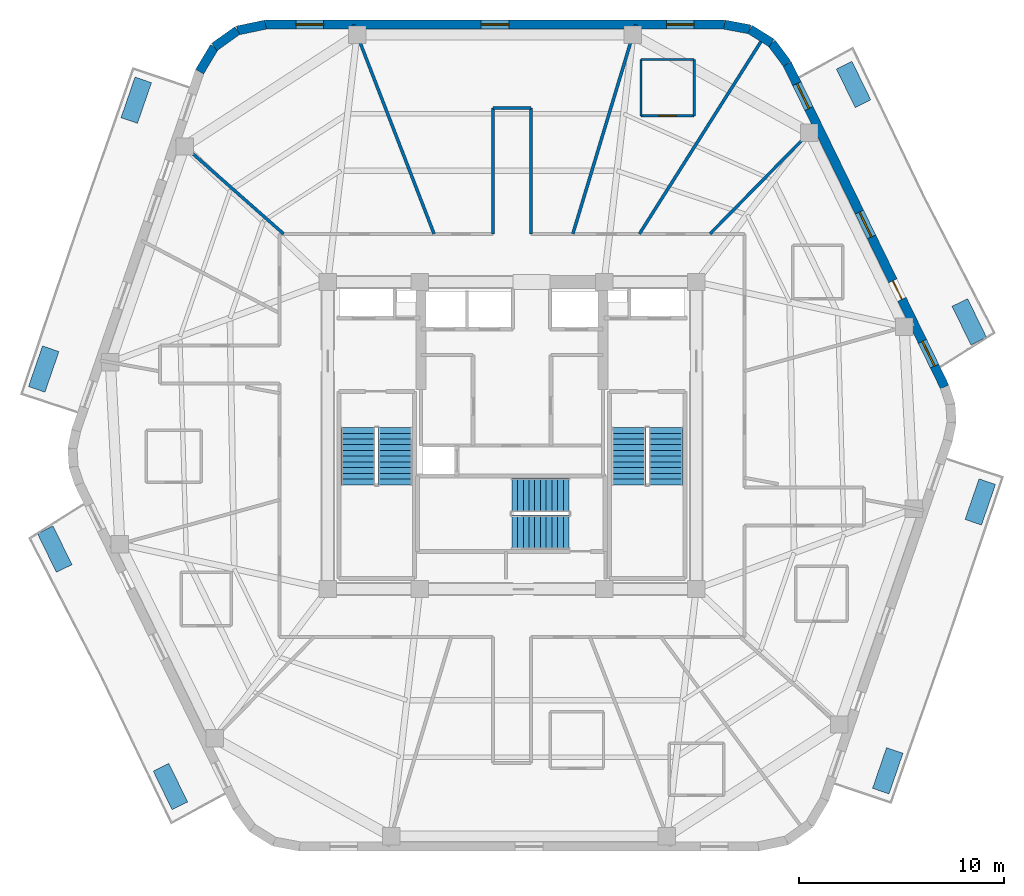
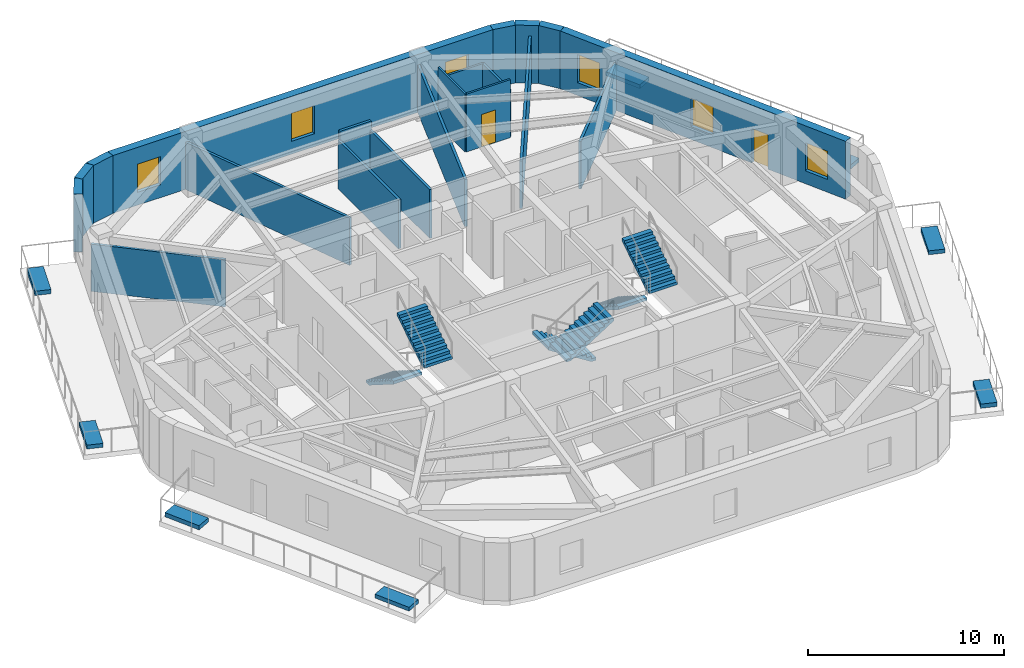
# One storey, part 6 of 9: 20 walls, 8 discrete accessories, 6 stair flights, 6 windows, 2 doors, 8 openings, 3 elements without a shape of their own.
"""IFC4 building model written with IfcOpenShell, lengths in metres."""

from ifc_helpers import new_model, si_unit, direction, frame, frame_2d, origin, origin_2d, place, context, subcontext, project, spatial, polyline, rectangle, outline, extrude, material, layer, layer_set, type_object, element, fill, aggregate, save


model = new_model("IFC4")

# Units and contexts
model_context = context("Model", 3, precision=1e-05, world=origin(), true_north=direction((0.0, 1.0)))
body_context = subcontext(model_context, "Body", "Model", "MODEL_VIEW")
ifc_project = project(units=[si_unit("LENGTHUNIT", "METRE"), si_unit("AREAUNIT", "SQUARE_METRE"), si_unit("VOLUMEUNIT", "CUBIC_METRE"), si_unit("PLANEANGLEUNIT", "RADIAN"), si_unit("MASSUNIT", "GRAM", prefix="KILO")], contexts=[model_context])

# Site, building, storey
site_placement = place(None, origin())
site = spatial("IfcSite", under=ifc_project, at=site_placement, CompositionType="ELEMENT")
building_placement = place(site_placement, origin())
building = spatial("IfcBuilding", under=site, at=building_placement, Name="Kilnhurst Terrace Hotel", CompositionType="ELEMENT")
storey_placement = place(building_placement, frame((0.0, 0.0, 276.89990234375)))
storey = spatial("IfcBuildingStorey", under=building, at=storey_placement, Name="L69", CompositionType="ELEMENT", Elevation=276.89990234375)

# Walls
ifc_material_1 = material(Name="Precast concrete C40/50", Category="concrete")
ifc_layer_1 = layer(ifc_material_1, 0.449951171875, Name="Precast concrete C40/50")
ifc_layer_set_1 = layer_set([ifc_layer_1], Name="Precast concrete C40/50")
wall_type_1 = type_object("IfcWallType", Name="WL-BRK-450", PredefinedType="SOLIDWALL", material=ifc_layer_set_1)
wall_1_placement = place(storey_placement, frame((13.44287109375, 18.159912109375, 0.0), z_axis=(0.0, 0.0, 1.0), x_axis=(-0.597042425808, 0.802209661987, 0.0)))
element("IfcWall", 1, at=wall_1_placement, inside=storey, type_object=wall_type_1, Name="L69 Rounded Corner Brick Wall C4.1", PredefinedType="SOLIDWALL", context=body_context, shape_type="SweptSolid", body=[
    extrude(rectangle(XDim=1.269775390625, YDim=0.449951171875, at=frame_2d((0.634765625, 0.0))), origin(), (0.0, 0.0, 1.0), 3.60009765625),
])
wall_2_placement = place(storey_placement, frame((12.684814453125, 19.178466796875, 0.0), z_axis=(0.0, 0.0, 1.0), x_axis=(-0.848031272749, 0.529946186362, 0.0)))
element("IfcWall", 2, at=wall_2_placement, inside=storey, type_object=wall_type_1, Name="L69 Rounded Corner Brick Wall C4.2", PredefinedType="SOLIDWALL", context=body_context, shape_type="SweptSolid", body=[
    extrude(rectangle(XDim=1.248046875, YDim=0.449951171875, at=frame_2d((0.6240234375, 0.0))), origin(), (0.0, 0.0, 1.0), 3.60009765625),
])
wall_3_placement = place(storey_placement, frame((11.62646484375, 19.83984375, 0.0), z_axis=(0.0, 0.0, 1.0), x_axis=(-0.982701956681, 0.185194126083, 0.0)))
element("IfcWall", 3, at=wall_3_placement, inside=storey, type_object=wall_type_1, Name="L69 Rounded Corner Brick Wall C4.3", PredefinedType="SOLIDWALL", context=body_context, shape_type="SweptSolid", body=[
    extrude(rectangle(XDim=1.26953125, YDim=0.449951171875, at=frame_2d((0.634765625, 0.0))), origin(), (0.0, 0.0, 1.0), 3.60009765625),
])
wall_4_placement = place(storey_placement, frame((-12.038330078125, 20.074951171875, 0.0), z_axis=(0.0, 0.0, 1.0), x_axis=(-0.978750122553, -0.205056571711, 0.0)))
element("IfcWall", 4, at=wall_4_placement, inside=storey, type_object=wall_type_1, Name="L69 Rounded Corner Brick Wall C5.1", PredefinedType="SOLIDWALL", context=body_context, shape_type="SweptSolid", body=[
    extrude(rectangle(XDim=1.406005859375, YDim=0.449951171875, at=frame_2d((0.703125, 0.0))), origin(), (0.0, 0.0, 1.0), 3.60009765625),
])
wall_5_placement = place(storey_placement, frame((-13.41455078125, 19.78662109375, 0.0), z_axis=(0.0, 0.0, 1.0), x_axis=(-0.814055493997, -0.580787097561, 0.0)))
element("IfcWall", 5, at=wall_5_placement, inside=storey, type_object=wall_type_1, Name="L69 Rounded Corner Brick Wall C5.2", PredefinedType="SOLIDWALL", context=body_context, shape_type="SweptSolid", body=[
    extrude(rectangle(XDim=1.382568359375, YDim=0.449951171875, at=frame_2d((0.69140625, 0.0))), origin(), (0.0, 0.0, 1.0), 3.60009765625),
])
wall_6_placement = place(storey_placement, frame((-14.5400390625, 18.983642578125, 0.0), z_axis=(0.0, 0.0, 1.0), x_axis=(-0.512374906623, -0.858761873317, 0.0)))
element("IfcWall", 6, at=wall_6_placement, inside=storey, type_object=wall_type_1, Name="L69 Rounded Corner Brick Wall C5.3", PredefinedType="SOLIDWALL", context=body_context, shape_type="SweptSolid", body=[
    extrude(rectangle(XDim=1.406005859375, YDim=0.449951171875, at=frame_2d((0.703125, 0.0))), origin(), (0.0, 0.0, 1.0), 3.60009765625),
])

# Wall, openings, door, windows
wall_7_placement = place(storey_placement, frame((21.138427734375, 2.370849609375, 0.0), z_axis=(0.0, 0.0, 1.0), x_axis=(-0.438128124058, 0.89891253574, 0.0)))
wall_7 = element("IfcWall", 7, at=wall_7_placement, inside=storey, type_object=wall_type_1, Name="L69 Exterior Brick Facade Wall F3", PredefinedType="SOLIDWALL", context=body_context, shape_type="SweptSolid", body=[
    extrude(rectangle(XDim=17.564697265625, YDim=0.449951171875, at=frame_2d((8.7822265625, 0.0))), origin(), (0.0, 0.0, 1.0), 3.60009765625),
])
opening_1_placement = place(wall_7_placement, frame((4.76904296875, 0.0, 0.0)))
opening_1 = element("IfcOpeningElement", 8, at=opening_1_placement, cuts=wall_7, Name="Opening BD-1000", PredefinedType="OPENING", context=body_context, shape_type="SweptSolid", body=[
    extrude(rectangle(XDim=1.0, YDim=2.14990234375, at=frame_2d((0.5, 1.074951171875))), frame((0.0, 0.23486328125, 0.0), z_axis=(0.0, -1.0, 0.0), x_axis=(1.0, 0.0, 0.0)), (0.0, 0.0, 1.0), 0.469970703125),
])
opening_2_placement = place(wall_7_placement, frame((8.157958984375, 0.0, 0.800048828125)))
opening_2 = element("IfcOpeningElement", 9, at=opening_2_placement, cuts=wall_7, Name="Opening W-06", PredefinedType="OPENING", context=body_context, shape_type="SweptSolid", body=[
    extrude(rectangle(XDim=1.35009765625, YDim=1.75, at=frame_2d((0.675048828125, 0.875))), frame((0.0, 0.23486328125, 0.0), z_axis=(0.0, -1.0, 0.0), x_axis=(1.0, 0.0, 0.0)), (0.0, 0.0, 1.0), 0.469970703125),
])
opening_3_placement = place(wall_7_placement, frame((15.132080078125, 0.0, 0.800048828125)))
opening_3 = element("IfcOpeningElement", 10, at=opening_3_placement, cuts=wall_7, Name="Opening W-06", PredefinedType="OPENING", context=body_context, shape_type="SweptSolid", body=[
    extrude(rectangle(XDim=1.35009765625, YDim=1.75, at=frame_2d((0.675048828125, 0.875))), frame((0.0, 0.23486328125, 0.0), z_axis=(0.0, -1.0, 0.0), x_axis=(1.0, 0.0, 0.0)), (0.0, 0.0, 1.0), 0.469970703125),
])
opening_4_placement = place(wall_7_placement, frame((1.133056640625, 0.0, 0.800048828125)))
opening_4 = element("IfcOpeningElement", 11, at=opening_4_placement, cuts=wall_7, Name="Opening W-06", PredefinedType="OPENING", context=body_context, shape_type="SweptSolid", body=[
    extrude(rectangle(XDim=1.35009765625, YDim=1.75, at=frame_2d((0.675048828125, 0.875))), frame((0.0, 0.23486328125, 0.0), z_axis=(0.0, -1.0, 0.0), x_axis=(1.0, 0.0, 0.0)), (0.0, 0.0, 1.0), 0.469970703125),
])
ifc_material_2 = material(Name="Thermally Broken Bronze Aluminium Alloy 6063-T6 and Laminated Glass", Category="aluminium")
door_type_1 = type_object("IfcDoorType", Name="DR-EXT-BAL-1000", OperationType="NOTDEFINED", PredefinedType="DOOR", material=ifc_material_2)
door_1_placement = place(opening_1_placement, origin())
door_1 = element("IfcDoor", 12, at=door_1_placement, inside=storey, type_object=door_type_1, Name="L69 Planted Balcony Door BAL-L1B", OperationType="SINGLE_SWING_LEFT", OverallHeight=2.14990234375, OverallWidth=1.0, PredefinedType="DOOR", context=body_context, shape_type="SweptSolid", body=[
    extrude(rectangle(XDim=1.0, YDim=2.14990234375, at=frame_2d((0.5, 1.074951171875))), frame((0.0, 0.02490234375, 0.0), z_axis=(0.0, -1.0, 0.0), x_axis=(1.0, 0.0, 0.0)), (0.0, 0.0, 1.0), 0.050048828125),
])
fill(opening_1, door_1)
ifc_material_3 = material(Name="Thermally Broken Bronze Aluminium Alloy 6063-T6 and Low-E Glass", Category="aluminium")
window_type = type_object("IfcWindowType", Name="WIN-1350X1750", PartitioningType="SINGLE_PANEL", PredefinedType="WINDOW", material=ifc_material_3)
window_1_placement = place(opening_2_placement, origin())
window_1 = element("IfcWindow", 13, at=window_1_placement, inside=storey, type_object=window_type, Name="L69 Deep-Set Masonry Window F3.1", OverallHeight=1.75, OverallWidth=1.35009765625, PartitioningType="SINGLE_PANEL", PredefinedType="WINDOW", context=body_context, shape_type="SweptSolid", body=[
    extrude(rectangle(XDim=1.35009765625, YDim=1.75, at=frame_2d((0.675048828125, 0.875))), frame((0.0, 0.030029296875, 0.0), z_axis=(0.0, -1.0, 0.0), x_axis=(1.0, 0.0, 0.0)), (0.0, 0.0, 1.0), 0.06005859375),
])
fill(opening_2, window_1)
window_2_placement = place(opening_3_placement, origin())
window_2 = element("IfcWindow", 14, at=window_2_placement, inside=storey, type_object=window_type, Name="L69 Deep-Set Masonry Window F3.2", OverallHeight=1.75, OverallWidth=1.35009765625, PartitioningType="SINGLE_PANEL", PredefinedType="WINDOW", context=body_context, shape_type="SweptSolid", body=[
    extrude(rectangle(XDim=1.35009765625, YDim=1.75, at=frame_2d((0.675048828125, 0.875))), frame((0.0, 0.030029296875, 0.0), z_axis=(0.0, -1.0, 0.0), x_axis=(1.0, 0.0, 0.0)), (0.0, 0.0, 1.0), 0.06005859375),
])
fill(opening_3, window_2)
window_3_placement = place(opening_4_placement, origin())
window_3 = element("IfcWindow", 15, at=window_3_placement, inside=storey, type_object=window_type, Name="L69 Deep-Set Masonry Window F3.3", OverallHeight=1.75, OverallWidth=1.35009765625, PartitioningType="SINGLE_PANEL", PredefinedType="WINDOW", context=body_context, shape_type="SweptSolid", body=[
    extrude(rectangle(XDim=1.35009765625, YDim=1.75, at=frame_2d((0.675048828125, 0.875))), frame((0.0, 0.030029296875, 0.0), z_axis=(0.0, -1.0, 0.0), x_axis=(1.0, 0.0, 0.0)), (0.0, 0.0, 1.0), 0.06005859375),
])
fill(opening_4, window_3)

# Wall, openings, windows
wall_8_placement = place(storey_placement, frame((10.37890625, 20.074951171875, 0.0), z_axis=(0.0, 0.0, 1.0), x_axis=(-1.0, 0.0, 0.0)))
wall_8 = element("IfcWall", 16, at=wall_8_placement, inside=storey, type_object=wall_type_1, Name="L69 Exterior Brick Facade Wall F4", PredefinedType="SOLIDWALL", context=body_context, shape_type="SweptSolid", body=[
    extrude(rectangle(XDim=22.417236328125, YDim=0.449951171875, at=frame_2d((11.20849609375, 0.0))), origin(), (0.0, 0.0, 1.0), 3.60009765625),
])
opening_5_placement = place(wall_8_placement, frame((1.47998046875, 0.0, 0.800048828125)))
opening_5 = element("IfcOpeningElement", 17, at=opening_5_placement, cuts=wall_8, Name="Opening W-06", PredefinedType="OPENING", context=body_context, shape_type="SweptSolid", body=[
    extrude(rectangle(XDim=1.35009765625, YDim=1.75, at=frame_2d((0.675048828125, 0.875))), frame((0.0, 0.23486328125, 0.0), z_axis=(0.0, -1.0, 0.0), x_axis=(1.0, 0.0, 0.0)), (0.0, 0.0, 1.0), 0.469970703125),
])
opening_6_placement = place(wall_8_placement, frame((10.533935546875, 0.0, 0.800048828125)))
opening_6 = element("IfcOpeningElement", 18, at=opening_6_placement, cuts=wall_8, Name="Opening W-06", PredefinedType="OPENING", context=body_context, shape_type="SweptSolid", body=[
    extrude(rectangle(XDim=1.35009765625, YDim=1.75, at=frame_2d((0.675048828125, 0.875))), frame((0.0, 0.23486328125, 0.0), z_axis=(0.0, -1.0, 0.0), x_axis=(1.0, 0.0, 0.0)), (0.0, 0.0, 1.0), 0.469970703125),
])
opening_7_placement = place(wall_8_placement, frame((19.5869140625, 0.0, 0.800048828125)))
opening_7 = element("IfcOpeningElement", 19, at=opening_7_placement, cuts=wall_8, Name="Opening W-06", PredefinedType="OPENING", context=body_context, shape_type="SweptSolid", body=[
    extrude(rectangle(XDim=1.35009765625, YDim=1.75, at=frame_2d((0.675048828125, 0.875))), frame((0.0, 0.23486328125, 0.0), z_axis=(0.0, -1.0, 0.0), x_axis=(1.0, 0.0, 0.0)), (0.0, 0.0, 1.0), 0.469970703125),
])
window_4_placement = place(opening_5_placement, origin())
window_4 = element("IfcWindow", 20, at=window_4_placement, inside=storey, type_object=window_type, Name="L69 Deep-Set Masonry Window F4.1", OverallHeight=1.75, OverallWidth=1.35009765625, PartitioningType="SINGLE_PANEL", PredefinedType="WINDOW", context=body_context, shape_type="SweptSolid", body=[
    extrude(rectangle(XDim=1.35009765625, YDim=1.75, at=frame_2d((0.675048828125, 0.875))), frame((0.0, 0.030029296875, 0.0), z_axis=(0.0, -1.0, 0.0), x_axis=(1.0, 0.0, 0.0)), (0.0, 0.0, 1.0), 0.06005859375),
])
fill(opening_5, window_4)
window_5_placement = place(opening_6_placement, origin())
window_5 = element("IfcWindow", 21, at=window_5_placement, inside=storey, type_object=window_type, Name="L69 Deep-Set Masonry Window F4.2", OverallHeight=1.75, OverallWidth=1.35009765625, PartitioningType="SINGLE_PANEL", PredefinedType="WINDOW", context=body_context, shape_type="SweptSolid", body=[
    extrude(rectangle(XDim=1.35009765625, YDim=1.75, at=frame_2d((0.675048828125, 0.875))), frame((0.0, 0.030029296875, 0.0), z_axis=(0.0, -1.0, 0.0), x_axis=(1.0, 0.0, 0.0)), (0.0, 0.0, 1.0), 0.06005859375),
])
fill(opening_6, window_5)
window_6_placement = place(opening_7_placement, origin())
window_6 = element("IfcWindow", 22, at=window_6_placement, inside=storey, type_object=window_type, Name="L69 Deep-Set Masonry Window F4.3", OverallHeight=1.75, OverallWidth=1.35009765625, PartitioningType="SINGLE_PANEL", PredefinedType="WINDOW", context=body_context, shape_type="SweptSolid", body=[
    extrude(rectangle(XDim=1.35009765625, YDim=1.75, at=frame_2d((0.675048828125, 0.875))), frame((0.0, 0.030029296875, 0.0), z_axis=(0.0, -1.0, 0.0), x_axis=(1.0, 0.0, 0.0)), (0.0, 0.0, 1.0), 0.06005859375),
])
fill(opening_7, window_6)

# Walls
ifc_material_4 = material(Name="Acoustic Double-Gypsum Corridor Partition Assembly")
ifc_layer_2 = layer(ifc_material_4, 0.14990234375, Name="Acoustic Double-Gypsum Corridor Partition Assembly")
ifc_layer_set_2 = layer_set([ifc_layer_2], Name="Acoustic Double-Gypsum Corridor Partition Assembly")
wall_type_2 = type_object("IfcWallType", Name="WL-COR-150", PredefinedType="PARTITIONING", material=ifc_layer_set_2)
wall_9_placement = place(storey_placement, frame((-0.919921875, 9.85009765625, 0.0), z_axis=(0.0, 0.0, 1.0), x_axis=(0.0, 1.0, 0.0)))
element("IfcWall", 23, at=wall_9_placement, inside=storey, type_object=wall_type_2, Name="L69 Interior Wall WL-L69-COR-07", PredefinedType="PARTITIONING", context=body_context, shape_type="SweptSolid", body=[
    extrude(rectangle(XDim=6.14990234375, YDim=0.14990234375, at=frame_2d((3.074951171875, 0.0))), origin(), (0.0, 0.0, 1.0), 3.04052734375),
])
wall_10_placement = place(storey_placement, frame((-0.919921875, 16.0, 0.0), z_axis=(0.0, 0.0, 1.0), x_axis=(1.0, 0.0, 0.0)))
element("IfcWall", 24, at=wall_10_placement, inside=storey, type_object=wall_type_2, Name="L69 Interior Wall WL-L69-COR-08", PredefinedType="PARTITIONING", context=body_context, shape_type="SweptSolid", body=[
    extrude(rectangle(XDim=1.83984375, YDim=0.14990234375, at=frame_2d((0.919921875, 0.0))), origin(), (0.0, 0.0, 1.0), 3.60009765625),
])
wall_11_placement = place(storey_placement, frame((0.919921875, 16.0, 0.0), z_axis=(0.0, 0.0, 1.0), x_axis=(0.0, -1.0, 0.0)))
element("IfcWall", 25, at=wall_11_placement, inside=storey, type_object=wall_type_2, Name="L69 Interior Wall WL-L69-COR-09", PredefinedType="PARTITIONING", context=body_context, shape_type="SweptSolid", body=[
    extrude(rectangle(XDim=6.14990234375, YDim=0.14990234375, at=frame_2d((3.074951171875, 0.0))), origin(), (0.0, 0.0, 1.0), 3.04052734375),
])
ifc_material_5 = material(Name="STC-58 Acoustic Twin-Frame Guestroom Demising Partition")
ifc_layer_3 = layer(ifc_material_5, 0.14990234375, Name="STC-58 Acoustic Twin-Frame Guestroom Demising Partition")
ifc_layer_set_3 = layer_set([ifc_layer_3], Name="STC-58 Acoustic Twin-Frame Guestroom Demising Partition")
wall_type_3 = type_object("IfcWallType", Name="WL-DEM-150", PredefinedType="PARTITIONING", material=ifc_layer_set_3)
wall_12_placement = place(storey_placement, frame((9.67236328125, 9.85009765625, 0.0), z_axis=(0.0, 0.0, 1.0), x_axis=(0.700629771301, 0.713524998558, 0.0)))
element("IfcWall", 26, at=wall_12_placement, inside=storey, type_object=wall_type_3, Name="L69 Interior Wall WL-L69-DEM-COL02-02-1", PredefinedType="PARTITIONING", context=body_context, shape_type="SweptSolid", body=[
    extrude(rectangle(XDim=7.45947265625, YDim=0.14990234375, at=frame_2d((3.729736328125, 0.0))), origin(), (0.0, 0.0, 1.0), 2.940185546875),
])
wall_13_placement = place(storey_placement, frame((6.225830078125, 9.85009765625, 0.0), z_axis=(0.0, 0.0, 1.0), x_axis=(0.53429711317, 0.845296749584, 0.0)))
element("IfcWall", 27, at=wall_13_placement, inside=storey, type_object=wall_type_3, Name="L69 Interior Wall WL-L69-DEM-MID02-03-1", PredefinedType="PARTITIONING", context=body_context, shape_type="SweptSolid", body=[
    extrude(rectangle(XDim=11.174072265625, YDim=0.14990234375, at=frame_2d((5.5869140625, 0.0))), origin(), (0.0, 0.0, 1.0), 2.940185546875),
])
wall_14_placement = place(storey_placement, frame((2.97216796875, 9.85009765625, 0.0), z_axis=(0.0, 0.0, 1.0), x_axis=(0.288872169679, 0.957367677324, 0.0)))
element("IfcWall", 28, at=wall_14_placement, inside=storey, type_object=wall_type_3, Name="L69 Interior Wall WL-L69-DEM-COL03-04-1", PredefinedType="PARTITIONING", context=body_context, shape_type="SweptSolid", body=[
    extrude(rectangle(XDim=10.68017578125, YDim=0.14990234375, at=frame_2d((5.340087890625, 0.0))), origin(), (0.0, 0.0, 1.0), 2.940185546875),
])
wall_15_placement = place(storey_placement, frame((-3.8076171875, 9.85009765625, 0.0), z_axis=(0.0, 0.0, 1.0), x_axis=(-0.360587327934, 0.932725457427, 0.0)))
element("IfcWall", 29, at=wall_15_placement, inside=storey, type_object=wall_type_3, Name="L69 Interior Wall WL-L69-DEM-COL04-05-1", PredefinedType="PARTITIONING", context=body_context, shape_type="SweptSolid", body=[
    extrude(rectangle(XDim=10.96240234375, YDim=0.14990234375, at=frame_2d((5.481201171875, 0.0))), origin(), (0.0, 0.0, 1.0), 2.940185546875),
])
wall_16_placement = place(storey_placement, frame((-11.1572265625, 9.85009765625, 0.0), z_axis=(0.0, 0.0, 1.0), x_axis=(-0.74966962095, 0.661812253909, 0.0)))
element("IfcWall", 30, at=wall_16_placement, inside=storey, type_object=wall_type_3, Name="L69 Interior Wall WL-L69-DEM-COL05-06-1", PredefinedType="PARTITIONING", context=body_context, shape_type="SweptSolid", body=[
    extrude(rectangle(XDim=6.98876953125, YDim=0.14990234375, at=frame_2d((3.494384765625, 0.0))), origin(), (0.0, 0.0, 1.0), 2.940185546875),
])

# Wall, opening, door
ifc_material_6 = material(Name="120 mm Moisture-Resistant Tile-Backed Bathroom Partition")
ifc_layer_4 = layer(ifc_material_6, 0.1201171875, Name="120 mm Moisture-Resistant Tile-Backed Bathroom Partition")
ifc_layer_set_4 = layer_set([ifc_layer_4], Name="120 mm Moisture-Resistant Tile-Backed Bathroom Partition")
wall_type_4 = type_object("IfcWallType", Name="WL-PART-120", PredefinedType="PARTITIONING", material=ifc_layer_set_4)
wall_17_placement = place(storey_placement, frame((6.302001953125, 15.6201171875, 0.0), z_axis=(0.0, 0.0, 1.0), x_axis=(1.0, 0.0, 0.0)))
wall_17 = element("IfcWall", 31, at=wall_17_placement, inside=storey, type_object=wall_type_4, Name="L69 Interior Wall WL-L69-BTH-03-1", PredefinedType="PARTITIONING", context=body_context, shape_type="SweptSolid", body=[
    extrude(rectangle(XDim=2.60009765625, YDim=0.1201171875, at=frame_2d((1.300048828125, 0.0))), origin(), (0.0, 0.0, 1.0), 3.60009765625),
])
opening_8_placement = place(wall_17_placement, frame((0.875, 0.0, 0.0)))
opening_8 = element("IfcOpeningElement", 32, at=opening_8_placement, cuts=wall_17, Name="Opening D-08A", PredefinedType="OPENING", context=body_context, shape_type="SweptSolid", body=[
    extrude(rectangle(XDim=0.85009765625, YDim=2.030029296875, at=frame_2d((0.425048828125, 1.01513671875))), frame((0.0, 0.070068359375, 0.0), z_axis=(0.0, -1.0, 0.0), x_axis=(1.0, 0.0, 0.0)), (0.0, 0.0, 1.0), 0.14013671875),
])
ifc_material_7 = material(Name="Moisture-Resistant Lacquered En-suite Bathroom Door")
door_type_2 = type_object("IfcDoorType", Name="DR-INT-850", OperationType="NOTDEFINED", PredefinedType="DOOR", material=ifc_material_7)
door_2_placement = place(opening_8_placement, origin())
door_2 = element("IfcDoor", 33, at=door_2_placement, inside=storey, type_object=door_type_2, Name="L69 En-suite Bathroom Door 3", OperationType="SINGLE_SWING_RIGHT", OverallHeight=2.030029296875, OverallWidth=0.85009765625, PredefinedType="DOOR", context=body_context, shape_type="SweptSolid", body=[
    extrude(rectangle(XDim=0.85009765625, YDim=2.030029296875, at=frame_2d((0.425048828125, 1.01513671875))), frame((0.0, 0.02490234375, 0.0), z_axis=(0.0, -1.0, 0.0), x_axis=(1.0, 0.0, 0.0)), (0.0, 0.0, 1.0), 0.050048828125),
])
fill(opening_8, door_2)

# Walls
wall_18_placement = place(storey_placement, frame((8.902099609375, 15.6201171875, 0.0), z_axis=(0.0, 0.0, 1.0), x_axis=(0.0, 1.0, 0.0)))
element("IfcWall", 34, at=wall_18_placement, inside=storey, type_object=wall_type_4, Name="L69 Interior Wall WL-L69-BTH-03-2", PredefinedType="PARTITIONING", context=body_context, shape_type="SweptSolid", body=[
    extrude(rectangle(XDim=2.75, YDim=0.1201171875, at=frame_2d((1.375, 0.0))), origin(), (0.0, 0.0, 1.0), 2.940185546875),
])
wall_19_placement = place(storey_placement, frame((8.902099609375, 18.3701171875, 0.0), z_axis=(0.0, 0.0, 1.0), x_axis=(-1.0, 0.0, 0.0)))
element("IfcWall", 35, at=wall_19_placement, inside=storey, type_object=wall_type_4, Name="L69 Interior Wall WL-L69-BTH-03-3", PredefinedType="PARTITIONING", context=body_context, shape_type="SweptSolid", body=[
    extrude(rectangle(XDim=2.60009765625, YDim=0.1201171875, at=frame_2d((1.300048828125, 0.0))), origin(), (0.0, 0.0, 1.0), 2.940185546875),
])
wall_20_placement = place(storey_placement, frame((6.302001953125, 18.3701171875, 0.0), z_axis=(0.0, 0.0, 1.0), x_axis=(0.0, -1.0, 0.0)))
element("IfcWall", 36, at=wall_20_placement, inside=storey, type_object=wall_type_4, Name="L69 Interior Wall WL-L69-BTH-03-4", PredefinedType="PARTITIONING", context=body_context, shape_type="SweptSolid", body=[
    extrude(rectangle(XDim=2.75, YDim=0.1201171875, at=frame_2d((1.375, 0.0))), origin(), (0.0, 0.0, 1.0), 3.60009765625),
])

# Stair, stair flights
ifc_material_8 = material(Name="Concrete C50/60", Category="concrete")
stair_type = type_object("IfcStairType", Name="STR-CORE-1660", PredefinedType="HALF_TURN_STAIR", material=ifc_material_8)
stair_1_placement = place(storey_placement, origin())
stair_1 = element("IfcStair", 37, at=stair_1_placement, inside=storey, type_object=stair_type, Name="L69 ST-1", PredefinedType="HALF_TURN_STAIR")
stair_flight_type = type_object("IfcStairFlightType", Name="FLT-RC-1660", PredefinedType="STRAIGHT", material=ifc_material_8)
stair_flight_1_placement = place(storey_placement, frame((-7.52001953125, 0.389892578125, 0.0), z_axis=(0.0, 0.0, 1.0), x_axis=(0.0, -1.0, 0.0)))
stair_flight_1 = element("IfcStairFlight", 38, at=stair_flight_1_placement, type_object=stair_flight_type, Name="ST-1 flight 1", NumberOfRisers=11, NumberOfTreads=10, PredefinedType="STRAIGHT", RiserHeight=0.177272727, TreadLength=0.28, context=body_context, shape_type="SweptSolid", body=[
    extrude(outline(polyline([(0.0, 0.0), (0.0, 0.17724609375), (0.280029296875, 0.17724609375), (0.280029296875, 0.3544921875), (0.56005859375, 0.3544921875), (0.56005859375, 0.53173828125), (0.840087890625, 0.53173828125), (0.840087890625, 0.708984375), (1.1201171875, 0.708984375), (1.1201171875, 0.886474609375), (1.39990234375, 0.886474609375), (1.39990234375, 1.063720703125), (1.679931640625, 1.063720703125), (1.679931640625, 1.240966796875), (1.9599609375, 1.240966796875), (1.9599609375, 1.418212890625), (2.239990234375, 1.418212890625), (2.239990234375, 1.595458984375), (2.52001953125, 1.595458984375), (2.52001953125, 1.772705078125), (2.800048828125, 1.772705078125), (2.800048828125, 1.949951171875), (2.800048828125, 1.59521484375), (0.2802734375, 0.0), (0.0, 0.0)])), frame((0.0, 0.830078125, 0.0), z_axis=(0.0, -1.0, 0.0), x_axis=(1.0, 0.0, 0.0)), (0.0, 0.0, 1.0), 1.659912109375),
])
stair_flight_2_placement = place(storey_placement, frame((-5.7099609375, -2.409912109375, 1.9501953125), z_axis=(0.0, 0.0, 1.0), x_axis=(0.0, 1.0, 0.0)))
stair_flight_2 = element("IfcStairFlight", 39, at=stair_flight_2_placement, type_object=stair_flight_type, Name="ST-1 flight 2", NumberOfRisers=11, NumberOfTreads=10, PredefinedType="STRAIGHT", RiserHeight=0.177272727, TreadLength=0.28, context=body_context, shape_type="SweptSolid", body=[
    extrude(outline(polyline([(0.0, 0.0), (0.0, 0.17724609375), (0.280029296875, 0.17724609375), (0.280029296875, 0.3544921875), (0.56005859375, 0.3544921875), (0.56005859375, 0.53173828125), (0.840087890625, 0.53173828125), (0.840087890625, 0.708984375), (1.1201171875, 0.708984375), (1.1201171875, 0.886474609375), (1.39990234375, 0.886474609375), (1.39990234375, 1.063720703125), (1.679931640625, 1.063720703125), (1.679931640625, 1.240966796875), (1.9599609375, 1.240966796875), (1.9599609375, 1.418212890625), (2.239990234375, 1.418212890625), (2.239990234375, 1.595458984375), (2.52001953125, 1.595458984375), (2.52001953125, 1.772705078125), (2.800048828125, 1.772705078125), (2.800048828125, 1.949951171875), (2.800048828125, 1.59521484375), (0.2802734375, 0.0), (0.0, 0.0)])), frame((0.0, 0.830078125, 0.0), z_axis=(0.0, -1.0, 0.0), x_axis=(1.0, 0.0, 0.0)), (0.0, 0.0, 1.0), 1.659912109375),
])
aggregate(stair_1, [stair_flight_1, stair_flight_2])

stair_2_placement = place(storey_placement, origin())
stair_2 = element("IfcStair", 40, at=stair_2_placement, inside=storey, type_object=stair_type, Name="L69 ST-2", PredefinedType="HALF_TURN_STAIR")
stair_flight_3_placement = place(storey_placement, frame((5.7099609375, 0.389892578125, 0.0), z_axis=(0.0, 0.0, 1.0), x_axis=(0.0, -1.0, 0.0)))
stair_flight_3 = element("IfcStairFlight", 41, at=stair_flight_3_placement, type_object=stair_flight_type, Name="ST-2 flight 1", NumberOfRisers=11, NumberOfTreads=10, PredefinedType="STRAIGHT", RiserHeight=0.177272727, TreadLength=0.28, context=body_context, shape_type="SweptSolid", body=[
    extrude(outline(polyline([(0.0, 0.0), (0.0, 0.17724609375), (0.280029296875, 0.17724609375), (0.280029296875, 0.3544921875), (0.56005859375, 0.3544921875), (0.56005859375, 0.53173828125), (0.840087890625, 0.53173828125), (0.840087890625, 0.708984375), (1.1201171875, 0.708984375), (1.1201171875, 0.886474609375), (1.39990234375, 0.886474609375), (1.39990234375, 1.063720703125), (1.679931640625, 1.063720703125), (1.679931640625, 1.240966796875), (1.9599609375, 1.240966796875), (1.9599609375, 1.418212890625), (2.239990234375, 1.418212890625), (2.239990234375, 1.595458984375), (2.52001953125, 1.595458984375), (2.52001953125, 1.772705078125), (2.800048828125, 1.772705078125), (2.800048828125, 1.949951171875), (2.800048828125, 1.59521484375), (0.2802734375, 0.0), (0.0, 0.0)])), frame((0.0, 0.830078125, 0.0), z_axis=(0.0, -1.0, 0.0), x_axis=(1.0, 0.0, 0.0)), (0.0, 0.0, 1.0), 1.659912109375),
])
stair_flight_4_placement = place(storey_placement, frame((7.52001953125, -2.409912109375, 1.9501953125), z_axis=(0.0, 0.0, 1.0), x_axis=(0.0, 1.0, 0.0)))
stair_flight_4 = element("IfcStairFlight", 42, at=stair_flight_4_placement, type_object=stair_flight_type, Name="ST-2 flight 2", NumberOfRisers=11, NumberOfTreads=10, PredefinedType="STRAIGHT", RiserHeight=0.177272727, TreadLength=0.28, context=body_context, shape_type="SweptSolid", body=[
    extrude(outline(polyline([(0.0, 0.0), (0.0, 0.17724609375), (0.280029296875, 0.17724609375), (0.280029296875, 0.3544921875), (0.56005859375, 0.3544921875), (0.56005859375, 0.53173828125), (0.840087890625, 0.53173828125), (0.840087890625, 0.708984375), (1.1201171875, 0.708984375), (1.1201171875, 0.886474609375), (1.39990234375, 0.886474609375), (1.39990234375, 1.063720703125), (1.679931640625, 1.063720703125), (1.679931640625, 1.240966796875), (1.9599609375, 1.240966796875), (1.9599609375, 1.418212890625), (2.239990234375, 1.418212890625), (2.239990234375, 1.595458984375), (2.52001953125, 1.595458984375), (2.52001953125, 1.772705078125), (2.800048828125, 1.772705078125), (2.800048828125, 1.949951171875), (2.800048828125, 1.59521484375), (0.2802734375, 0.0), (0.0, 0.0)])), frame((0.0, 0.830078125, 0.0), z_axis=(0.0, -1.0, 0.0), x_axis=(1.0, 0.0, 0.0)), (0.0, 0.0, 1.0), 1.659912109375),
])
aggregate(stair_2, [stair_flight_3, stair_flight_4])

stair_3_placement = place(storey_placement, origin())
stair_3 = element("IfcStair", 43, at=stair_3_placement, inside=storey, type_object=stair_type, Name="L69 ST-3", PredefinedType="HALF_TURN_STAIR")
stair_flight_5_placement = place(storey_placement, frame((2.7900390625, -2.909912109375, 0.0), z_axis=(0.0, 0.0, 1.0), x_axis=(-1.0, 0.0, 0.0)))
stair_flight_5 = element("IfcStairFlight", 44, at=stair_flight_5_placement, type_object=stair_flight_type, Name="ST-3 flight 1", NumberOfRisers=11, NumberOfTreads=10, PredefinedType="STRAIGHT", RiserHeight=0.177272727, TreadLength=0.28, context=body_context, shape_type="SweptSolid", body=[
    extrude(outline(polyline([(0.0, 0.0), (0.0, 0.17724609375), (0.280029296875, 0.17724609375), (0.280029296875, 0.3544921875), (0.56005859375, 0.3544921875), (0.56005859375, 0.53173828125), (0.840087890625, 0.53173828125), (0.840087890625, 0.708984375), (1.1201171875, 0.708984375), (1.1201171875, 0.886474609375), (1.39990234375, 0.886474609375), (1.39990234375, 1.063720703125), (1.679931640625, 1.063720703125), (1.679931640625, 1.240966796875), (1.9599609375, 1.240966796875), (1.9599609375, 1.418212890625), (2.239990234375, 1.418212890625), (2.239990234375, 1.595458984375), (2.52001953125, 1.595458984375), (2.52001953125, 1.772705078125), (2.800048828125, 1.772705078125), (2.800048828125, 1.949951171875), (2.800048828125, 1.59521484375), (0.2802734375, 0.0), (0.0, 0.0)])), frame((0.0, 0.830078125, 0.0), z_axis=(0.0, -1.0, 0.0), x_axis=(1.0, 0.0, 0.0)), (0.0, 0.0, 1.0), 1.659912109375),
])
stair_flight_6_placement = place(storey_placement, frame((-0.010009765625, -4.719970703125, 1.9501953125), z_axis=(0.0, 0.0, 1.0), x_axis=(1.0, 0.0, 0.0)))
stair_flight_6 = element("IfcStairFlight", 45, at=stair_flight_6_placement, type_object=stair_flight_type, Name="ST-3 flight 2", NumberOfRisers=11, NumberOfTreads=10, PredefinedType="STRAIGHT", RiserHeight=0.177272727, TreadLength=0.28, context=body_context, shape_type="SweptSolid", body=[
    extrude(outline(polyline([(0.0, 0.0), (0.0, 0.17724609375), (0.280029296875, 0.17724609375), (0.280029296875, 0.3544921875), (0.56005859375, 0.3544921875), (0.56005859375, 0.53173828125), (0.840087890625, 0.53173828125), (0.840087890625, 0.708984375), (1.1201171875, 0.708984375), (1.1201171875, 0.886474609375), (1.39990234375, 0.886474609375), (1.39990234375, 1.063720703125), (1.679931640625, 1.063720703125), (1.679931640625, 1.240966796875), (1.9599609375, 1.240966796875), (1.9599609375, 1.418212890625), (2.239990234375, 1.418212890625), (2.239990234375, 1.595458984375), (2.52001953125, 1.595458984375), (2.52001953125, 1.772705078125), (2.800048828125, 1.772705078125), (2.800048828125, 1.949951171875), (2.800048828125, 1.59521484375), (0.2802734375, 0.0), (0.0, 0.0)])), frame((0.0, 0.830078125, 0.0), z_axis=(0.0, -1.0, 0.0), x_axis=(1.0, 0.0, 0.0)), (0.0, 0.0, 1.0), 1.659912109375),
])
aggregate(stair_3, [stair_flight_5, stair_flight_6])

# Discrete accessories
ifc_material_9 = material(Name="Precast Concrete C40/50 Shrub Planter", Category="concrete")
discrete_accessory_type_1 = type_object("IfcDiscreteAccessoryType", Name="PLN-SHRUB-240", PredefinedType="USERDEFINED", material=ifc_material_9)
for number, where, z_axis, x_axis, name in (
    (46, (22.8779296875, -3.246826171875, 0.0), (0.0, 0.0, 1.0), (0.325403125376, 0.94557538356, 0.0), "L69 Structural Tree Planter Box PLANTER BAL-L1A.2"),
    (47, (16.68798828125, 17.150634765625, 0.0), (0.0, 0.0, 1.0), (-0.438135828038, 0.898908780795, 0.0), "L69 Structural Tree Planter Box PLANTER BAL-L1B.2"),
    (48, (-22.8779296875, 3.246826171875, 0.0), (0.0, 0.0, 1.0), (-0.325403125376, -0.94557538356, 0.0), "L69 Structural Tree Planter Box PLANTER BAL-L2A.2"),
    (49, (-16.68798828125, -17.150634765625, 0.0), (0.0, 0.0, 1.0), (0.438135828038, -0.898908780795, 0.0), "L69 Structural Tree Planter Box PLANTER BAL-L2B.2"),
):
    element("IfcDiscreteAccessory", number, at=place(storey_placement, frame(where, z_axis=z_axis, x_axis=x_axis)), inside=storey, type_object=discrete_accessory_type_1, Name=name, ObjectType="PLANTER", PredefinedType="USERDEFINED", context=body_context, shape_type="SweptSolid", body=[
        extrude(rectangle(XDim=2.10009765625, YDim=0.85009765625, at=origin_2d()), origin(), (0.0, 0.0, 1.0), 0.239990234375),
    ])
ifc_material_10 = material(Name="Precast Concrete C40/50 Tree Planter", Category="concrete")
discrete_accessory_type_2 = type_object("IfcDiscreteAccessoryType", Name="PLN-TREE-260", PredefinedType="USERDEFINED", material=ifc_material_10)
for number, where, z_axis, x_axis, name in (
    (50, (18.35791015625, -16.381591796875, 0.0), (0.0, 0.0, 1.0), (0.325403125376, 0.94557538356, 0.0), "L69 Structural Tree Planter Box PLANTER BAL-L1A.1"),
    (51, (22.340087890625, 5.55419921875, 0.0), (0.0, 0.0, 1.0), (-0.438135828038, 0.898908780795, 0.0), "L69 Structural Tree Planter Box PLANTER BAL-L1B.1"),
    (52, (-18.35791015625, 16.381591796875, 0.0), (0.0, 0.0, 1.0), (-0.325403125376, -0.94557538356, 0.0), "L69 Structural Tree Planter Box PLANTER BAL-L2A.1"),
    (53, (-22.340087890625, -5.55419921875, 0.0), (0.0, 0.0, 1.0), (0.438135828038, -0.898908780795, 0.0), "L69 Structural Tree Planter Box PLANTER BAL-L2B.1"),
):
    element("IfcDiscreteAccessory", number, at=place(storey_placement, frame(where, z_axis=z_axis, x_axis=x_axis)), inside=storey, type_object=discrete_accessory_type_2, Name=name, ObjectType="PLANTER", PredefinedType="USERDEFINED", context=body_context, shape_type="SweptSolid", body=[
        extrude(rectangle(XDim=2.10009765625, YDim=0.85009765625, at=origin_2d()), origin(), (0.0, 0.0, 1.0), 0.260009765625),
    ])

save(model, "model.ifc")
